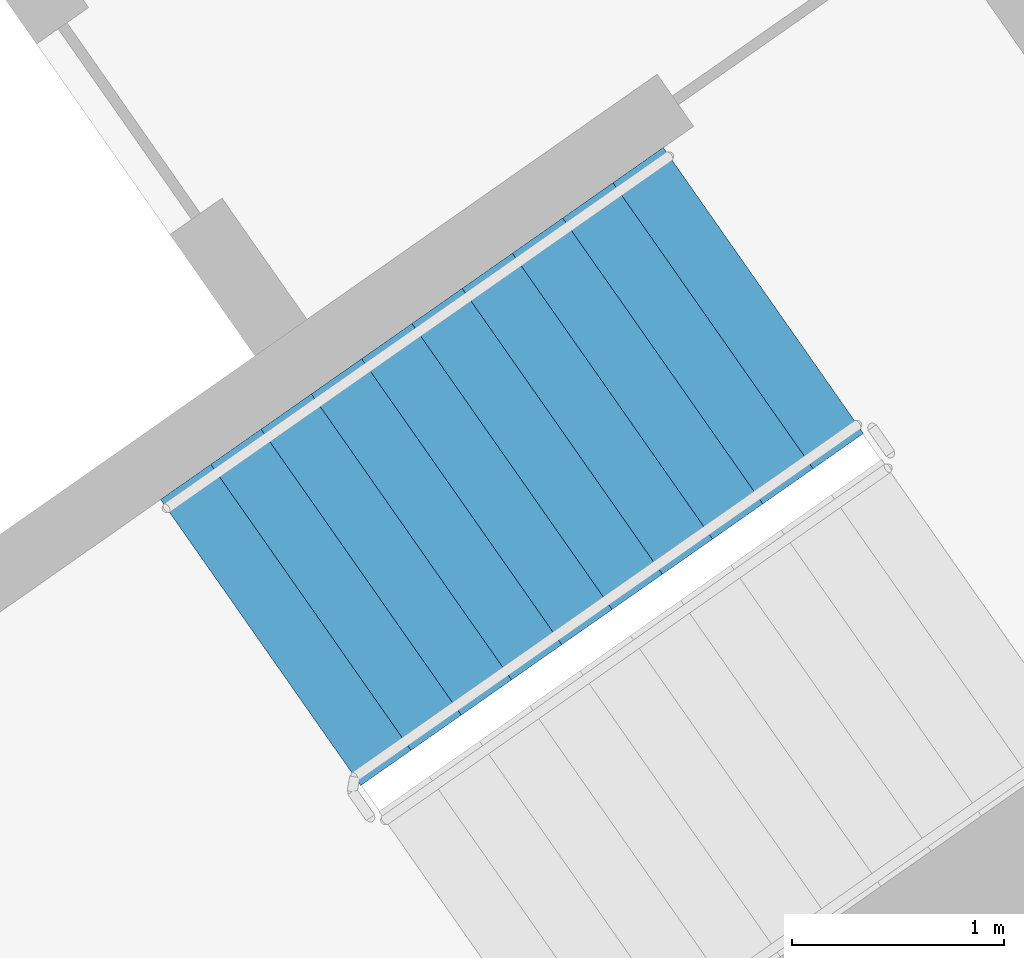
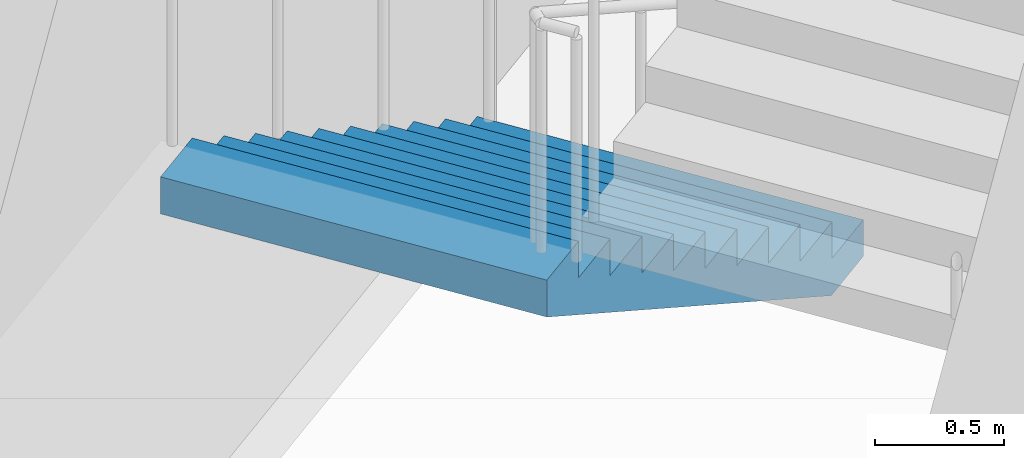
# One storey, part 17 of 31: 1 stair flight, 1 element without a shape of its own.
"""IFC4 building model written with IfcOpenShell, lengths in metres."""

from ifc_helpers import new_model, si_unit, direction, frame, origin, place, context, subcontext, project, spatial, faceted_brep, material, type_object, element, aggregate, save


model = new_model("IFC4")

# Units and contexts
model_context = context("Model", 3, precision=1e-05, world=origin(), true_north=direction((0.0, 1.0)))
body_context = subcontext(model_context, "Body", "Model", "MODEL_VIEW")
ifc_project = project(units=[si_unit("LENGTHUNIT", "METRE"), si_unit("AREAUNIT", "SQUARE_METRE"), si_unit("VOLUMEUNIT", "CUBIC_METRE"), si_unit("PLANEANGLEUNIT", "RADIAN"), si_unit("MASSUNIT", "GRAM", prefix="KILO")], contexts=[model_context])

# Site, building, storey
site_placement = place(None, origin())
site = spatial("IfcSite", under=ifc_project, at=site_placement, CompositionType="ELEMENT")
building_placement = place(site_placement, origin())
building = spatial("IfcBuilding", under=site, at=building_placement, Name="Qamariyya Broadcast Tower", CompositionType="ELEMENT")
storey_placement = place(building_placement, frame((0.0, 0.0, 55.699951171875)))
storey = spatial("IfcBuildingStorey", under=building, at=storey_placement, Name="L10", CompositionType="ELEMENT", Elevation=55.699951171875)

# Stair, stair flight
ifc_material = material(Name="Concrete C50/60", Category="concrete")
stair_type = type_object("IfcStairType", Name="Exit stair 22 risers of 173 mm", PredefinedType="HALF_TURN_STAIR", material=ifc_material)
stair_placement = place(storey_placement, origin())
stair = element("IfcStair", 1, at=stair_placement, inside=storey, type_object=stair_type, Name="L10 Stair E1", PredefinedType="HALF_TURN_STAIR")
stair_flight_type = type_object("IfcStairFlightType", Name="Exit stair flight 11 risers of 173 mm", PredefinedType="STRAIGHT", material=ifc_material)
stair_flight_placement = place(storey_placement, frame((46.036376953125, -55.508056640625, 0.0), z_axis=(0.0, 0.0, 1.0), x_axis=(-0.819152044289, -0.573576436351, 0.0)))
stair_flight = element("IfcStairFlight", 2, at=stair_flight_placement, type_object=stair_flight_type, Name="ST-E1 flight 1", NumberOfRisers=11, NumberOfTreads=10, PredefinedType="STRAIGHT", RiserHeight=0.172727273, TreadLength=0.29, context=body_context, shape_type="Brep", body=[
    faceted_brep([(0.0, 0.824951171875, 0.0), (0.0, 0.824951171875, 0.172607421875), (0.2900390625, 0.824951171875, 0.172607421875), (0.2900390625, 0.824951171875, 0.345458984375), (0.580078125, 0.824951171875, 0.345458984375), (0.580078125, 0.824951171875, 0.51806640625), (0.8701171875, 0.824951171875, 0.51806640625), (0.8701171875, 0.824951171875, 0.69091796875), (1.159912109375, 0.824951171875, 0.69091796875), (1.159912109375, 0.824951171875, 0.863525390625), (1.449951171875, 0.824951171875, 0.863525390625), (1.449951171875, 0.824951171875, 1.036376953125), (1.739990234375, 0.824951171875, 1.036376953125), (1.739990234375, 0.824951171875, 1.208984375), (2.030029296875, 0.824951171875, 1.208984375), (2.030029296875, 0.824951171875, 1.3818359375), (2.320068359375, 0.824951171875, 1.3818359375), (2.320068359375, 0.824951171875, 1.554443359375), (2.610107421875, 0.824951171875, 1.554443359375), (2.610107421875, 0.824951171875, 1.727294921875), (2.89990234375, 0.824951171875, 1.727294921875), (2.89990234375, 0.824951171875, 1.552734375), (0.29296875, 0.824951171875, 0.0), (0.29296875, -0.824951171875, 0.0), (2.89990234375, -0.824951171875, 1.552734375), (2.89990234375, -0.824951171875, 1.727294921875), (2.610107421875, -0.824951171875, 1.727294921875), (2.610107421875, -0.824951171875, 1.554443359375), (2.320068359375, -0.824951171875, 1.554443359375), (2.320068359375, -0.824951171875, 1.3818359375), (2.030029296875, -0.824951171875, 1.3818359375), (2.030029296875, -0.824951171875, 1.208984375), (1.739990234375, -0.824951171875, 1.208984375), (1.739990234375, -0.824951171875, 1.036376953125), (1.449951171875, -0.824951171875, 1.036376953125), (1.449951171875, -0.824951171875, 0.863525390625), (1.159912109375, -0.824951171875, 0.863525390625), (1.159912109375, -0.824951171875, 0.69091796875), (0.8701171875, -0.824951171875, 0.69091796875), (0.8701171875, -0.824951171875, 0.51806640625), (0.580078125, -0.824951171875, 0.51806640625), (0.580078125, -0.824951171875, 0.345458984375), (0.2900390625, -0.824951171875, 0.345458984375), (0.2900390625, -0.824951171875, 0.172607421875), (0.0, -0.824951171875, 0.172607421875), (0.0, -0.824951171875, 0.0), (0.0, 0.10009765625, 0.0), (0.0, 0.086669921875, 0.0), (0.0, 0.0732421875, 0.0), (0.0, 0.06005859375, 0.0), (0.0, 0.046630859375, 0.0), (0.0, 0.033447265625, 0.0), (0.0, 0.02001953125, 0.0), (0.0, 0.006591796875, 0.0), (0.0, -0.006591796875, 0.0), (0.0, -0.02001953125, 0.0), (0.0, -0.033447265625, 0.0), (0.0, -0.046630859375, 0.0), (0.0, -0.06005859375, 0.0), (0.0, -0.0732421875, 0.0), (0.0, -0.086669921875, 0.0), (0.0, -0.10009765625, 0.0), (0.0, -0.10009765625, 0.172607421875), (0.0, -0.086669921875, 0.172607421875), (0.0, -0.0732421875, 0.172607421875), (0.0, -0.06005859375, 0.172607421875), (0.0, -0.046630859375, 0.172607421875), (0.0, -0.033447265625, 0.172607421875), (0.0, -0.02001953125, 0.172607421875), (0.0, -0.006591796875, 0.172607421875), (0.0, 0.006591796875, 0.172607421875), (0.0, 0.02001953125, 0.172607421875), (0.0, 0.033447265625, 0.172607421875), (0.0, 0.046630859375, 0.172607421875), (0.0, 0.06005859375, 0.172607421875), (0.0, 0.0732421875, 0.172607421875), (0.0, 0.086669921875, 0.172607421875), (0.0, 0.10009765625, 0.172607421875), (0.2900390625, -0.10009765625, 0.172607421875), (0.2900390625, -0.086669921875, 0.172607421875), (0.2900390625, -0.0732421875, 0.172607421875), (0.2900390625, -0.06005859375, 0.172607421875), (0.2900390625, -0.046630859375, 0.172607421875), (0.2900390625, -0.033447265625, 0.172607421875), (0.2900390625, -0.02001953125, 0.172607421875), (0.2900390625, -0.006591796875, 0.172607421875), (0.2900390625, 0.006591796875, 0.172607421875), (0.2900390625, 0.02001953125, 0.172607421875), (0.2900390625, 0.033447265625, 0.172607421875), (0.2900390625, 0.046630859375, 0.172607421875), (0.2900390625, 0.06005859375, 0.172607421875), (0.2900390625, 0.0732421875, 0.172607421875), (0.2900390625, 0.086669921875, 0.172607421875), (0.2900390625, 0.10009765625, 0.172607421875), (0.2900390625, -0.10009765625, 0.345458984375), (0.2900390625, -0.086669921875, 0.345458984375), (0.2900390625, -0.0732421875, 0.345458984375), (0.2900390625, -0.06005859375, 0.345458984375), (0.2900390625, -0.046630859375, 0.345458984375), (0.2900390625, -0.033447265625, 0.345458984375), (0.2900390625, -0.02001953125, 0.345458984375), (0.2900390625, -0.006591796875, 0.345458984375), (0.2900390625, 0.006591796875, 0.345458984375), (0.2900390625, 0.02001953125, 0.345458984375), (0.2900390625, 0.033447265625, 0.345458984375), (0.2900390625, 0.046630859375, 0.345458984375), (0.2900390625, 0.06005859375, 0.345458984375), (0.2900390625, 0.0732421875, 0.345458984375), (0.2900390625, 0.086669921875, 0.345458984375), (0.2900390625, 0.10009765625, 0.345458984375), (0.580078125, -0.10009765625, 0.345458984375), (0.580078125, -0.086669921875, 0.345458984375), (0.580078125, -0.0732421875, 0.345458984375), (0.580078125, -0.06005859375, 0.345458984375), (0.580078125, -0.046630859375, 0.345458984375), (0.580078125, -0.033447265625, 0.345458984375), (0.580078125, -0.02001953125, 0.345458984375), (0.580078125, -0.006591796875, 0.345458984375), (0.580078125, 0.006591796875, 0.345458984375), (0.580078125, 0.02001953125, 0.345458984375), (0.580078125, 0.033447265625, 0.345458984375), (0.580078125, 0.046630859375, 0.345458984375), (0.580078125, 0.06005859375, 0.345458984375), (0.580078125, 0.0732421875, 0.345458984375), (0.580078125, 0.086669921875, 0.345458984375), (0.580078125, 0.10009765625, 0.345458984375), (0.580078125, -0.10009765625, 0.51806640625), (0.580078125, -0.086669921875, 0.51806640625), (0.580078125, -0.0732421875, 0.51806640625), (0.580078125, -0.06005859375, 0.51806640625), (0.580078125, -0.046630859375, 0.51806640625), (0.580078125, -0.033447265625, 0.51806640625), (0.580078125, -0.02001953125, 0.51806640625), (0.580078125, -0.006591796875, 0.51806640625), (0.580078125, 0.006591796875, 0.51806640625), (0.580078125, 0.02001953125, 0.51806640625), (0.580078125, 0.033447265625, 0.51806640625), (0.580078125, 0.046630859375, 0.51806640625), (0.580078125, 0.06005859375, 0.51806640625), (0.580078125, 0.0732421875, 0.51806640625), (0.580078125, 0.086669921875, 0.51806640625), (0.580078125, 0.10009765625, 0.51806640625), (0.8701171875, -0.10009765625, 0.51806640625), (0.8701171875, -0.086669921875, 0.51806640625), (0.8701171875, -0.0732421875, 0.51806640625), (0.8701171875, -0.06005859375, 0.51806640625), (0.8701171875, -0.046630859375, 0.51806640625), (0.8701171875, -0.033447265625, 0.51806640625), (0.8701171875, -0.02001953125, 0.51806640625), (0.8701171875, -0.006591796875, 0.51806640625), (0.8701171875, 0.006591796875, 0.51806640625), (0.8701171875, 0.02001953125, 0.51806640625), (0.8701171875, 0.033447265625, 0.51806640625), (0.8701171875, 0.046630859375, 0.51806640625), (0.8701171875, 0.06005859375, 0.51806640625), (0.8701171875, 0.0732421875, 0.51806640625), (0.8701171875, 0.086669921875, 0.51806640625), (0.8701171875, 0.10009765625, 0.51806640625), (0.8701171875, -0.10009765625, 0.69091796875), (0.8701171875, -0.086669921875, 0.69091796875), (0.8701171875, -0.0732421875, 0.69091796875), (0.8701171875, -0.06005859375, 0.69091796875), (0.8701171875, -0.046630859375, 0.69091796875), (0.8701171875, -0.033447265625, 0.69091796875), (0.8701171875, -0.02001953125, 0.69091796875), (0.8701171875, -0.006591796875, 0.69091796875), (0.8701171875, 0.006591796875, 0.69091796875), (0.8701171875, 0.02001953125, 0.69091796875), (0.8701171875, 0.033447265625, 0.69091796875), (0.8701171875, 0.046630859375, 0.69091796875), (0.8701171875, 0.06005859375, 0.69091796875), (0.8701171875, 0.0732421875, 0.69091796875), (0.8701171875, 0.086669921875, 0.69091796875), (0.8701171875, 0.10009765625, 0.69091796875), (1.159912109375, -0.10009765625, 0.69091796875), (1.159912109375, -0.086669921875, 0.69091796875), (1.159912109375, -0.0732421875, 0.69091796875), (1.159912109375, -0.06005859375, 0.69091796875), (1.159912109375, -0.046630859375, 0.69091796875), (1.159912109375, -0.033447265625, 0.69091796875), (1.159912109375, -0.02001953125, 0.69091796875), (1.159912109375, -0.006591796875, 0.69091796875), (1.159912109375, 0.006591796875, 0.69091796875), (1.159912109375, 0.02001953125, 0.69091796875), (1.159912109375, 0.033447265625, 0.69091796875), (1.159912109375, 0.046630859375, 0.69091796875), (1.159912109375, 0.06005859375, 0.69091796875), (1.159912109375, 0.0732421875, 0.69091796875), (1.159912109375, 0.086669921875, 0.69091796875), (1.159912109375, 0.10009765625, 0.69091796875), (1.159912109375, -0.10009765625, 0.863525390625), (1.159912109375, -0.086669921875, 0.863525390625), (1.159912109375, -0.0732421875, 0.863525390625), (1.159912109375, -0.06005859375, 0.863525390625), (1.159912109375, -0.046630859375, 0.863525390625), (1.159912109375, -0.033447265625, 0.863525390625), (1.159912109375, -0.02001953125, 0.863525390625), (1.159912109375, -0.006591796875, 0.863525390625), (1.159912109375, 0.006591796875, 0.863525390625), (1.159912109375, 0.02001953125, 0.863525390625), (1.159912109375, 0.033447265625, 0.863525390625), (1.159912109375, 0.046630859375, 0.863525390625), (1.159912109375, 0.06005859375, 0.863525390625), (1.159912109375, 0.0732421875, 0.863525390625), (1.159912109375, 0.086669921875, 0.863525390625), (1.159912109375, 0.10009765625, 0.863525390625), (1.449951171875, -0.10009765625, 0.863525390625), (1.449951171875, -0.086669921875, 0.863525390625), (1.449951171875, -0.0732421875, 0.863525390625), (1.449951171875, -0.06005859375, 0.863525390625), (1.449951171875, -0.046630859375, 0.863525390625), (1.449951171875, -0.033447265625, 0.863525390625), (1.449951171875, -0.02001953125, 0.863525390625), (1.449951171875, -0.006591796875, 0.863525390625), (1.449951171875, 0.006591796875, 0.863525390625), (1.449951171875, 0.02001953125, 0.863525390625), (1.449951171875, 0.033447265625, 0.863525390625), (1.449951171875, 0.046630859375, 0.863525390625), (1.449951171875, 0.06005859375, 0.863525390625), (1.449951171875, 0.0732421875, 0.863525390625), (1.449951171875, 0.086669921875, 0.863525390625), (1.449951171875, 0.10009765625, 0.863525390625), (1.449951171875, -0.10009765625, 1.036376953125), (1.449951171875, -0.086669921875, 1.036376953125), (1.449951171875, -0.0732421875, 1.036376953125), (1.449951171875, -0.06005859375, 1.036376953125), (1.449951171875, -0.046630859375, 1.036376953125), (1.449951171875, -0.033447265625, 1.036376953125), (1.449951171875, -0.02001953125, 1.036376953125), (1.449951171875, -0.006591796875, 1.036376953125), (1.449951171875, 0.006591796875, 1.036376953125), (1.449951171875, 0.02001953125, 1.036376953125), (1.449951171875, 0.033447265625, 1.036376953125), (1.449951171875, 0.046630859375, 1.036376953125), (1.449951171875, 0.06005859375, 1.036376953125), (1.449951171875, 0.0732421875, 1.036376953125), (1.449951171875, 0.086669921875, 1.036376953125), (1.449951171875, 0.10009765625, 1.036376953125), (1.739990234375, -0.10009765625, 1.036376953125), (1.739990234375, -0.086669921875, 1.036376953125), (1.739990234375, -0.0732421875, 1.036376953125), (1.739990234375, -0.06005859375, 1.036376953125), (1.739990234375, -0.046630859375, 1.036376953125), (1.739990234375, -0.033447265625, 1.036376953125), (1.739990234375, -0.02001953125, 1.036376953125), (1.739990234375, -0.006591796875, 1.036376953125), (1.739990234375, 0.006591796875, 1.036376953125), (1.739990234375, 0.02001953125, 1.036376953125), (1.739990234375, 0.033447265625, 1.036376953125), (1.739990234375, 0.046630859375, 1.036376953125), (1.739990234375, 0.06005859375, 1.036376953125), (1.739990234375, 0.0732421875, 1.036376953125), (1.739990234375, 0.086669921875, 1.036376953125), (1.739990234375, 0.10009765625, 1.036376953125), (1.739990234375, -0.10009765625, 1.208984375), (1.739990234375, -0.086669921875, 1.208984375), (1.739990234375, -0.0732421875, 1.208984375), (1.739990234375, -0.06005859375, 1.208984375), (1.739990234375, -0.046630859375, 1.208984375), (1.739990234375, -0.033447265625, 1.208984375), (1.739990234375, -0.02001953125, 1.208984375), (1.739990234375, -0.006591796875, 1.208984375), (1.739990234375, 0.006591796875, 1.208984375), (1.739990234375, 0.02001953125, 1.208984375), (1.739990234375, 0.033447265625, 1.208984375), (1.739990234375, 0.046630859375, 1.208984375), (1.739990234375, 0.06005859375, 1.208984375), (1.739990234375, 0.0732421875, 1.208984375), (1.739990234375, 0.086669921875, 1.208984375), (1.739990234375, 0.10009765625, 1.208984375), (2.030029296875, -0.10009765625, 1.208984375), (2.030029296875, -0.086669921875, 1.208984375), (2.030029296875, -0.0732421875, 1.208984375), (2.030029296875, -0.06005859375, 1.208984375), (2.030029296875, -0.046630859375, 1.208984375), (2.030029296875, -0.033447265625, 1.208984375), (2.030029296875, -0.02001953125, 1.208984375), (2.030029296875, -0.006591796875, 1.208984375), (2.030029296875, 0.006591796875, 1.208984375), (2.030029296875, 0.02001953125, 1.208984375), (2.030029296875, 0.033447265625, 1.208984375), (2.030029296875, 0.046630859375, 1.208984375), (2.030029296875, 0.06005859375, 1.208984375), (2.030029296875, 0.0732421875, 1.208984375), (2.030029296875, 0.086669921875, 1.208984375), (2.030029296875, 0.10009765625, 1.208984375), (2.030029296875, -0.10009765625, 1.3818359375), (2.030029296875, -0.086669921875, 1.3818359375), (2.030029296875, -0.0732421875, 1.3818359375), (2.030029296875, -0.06005859375, 1.3818359375), (2.030029296875, -0.046630859375, 1.3818359375), (2.030029296875, -0.033447265625, 1.3818359375), (2.030029296875, -0.02001953125, 1.3818359375), (2.030029296875, -0.006591796875, 1.3818359375), (2.030029296875, 0.006591796875, 1.3818359375), (2.030029296875, 0.02001953125, 1.3818359375), (2.030029296875, 0.033447265625, 1.3818359375), (2.030029296875, 0.046630859375, 1.3818359375), (2.030029296875, 0.06005859375, 1.3818359375), (2.030029296875, 0.0732421875, 1.3818359375), (2.030029296875, 0.086669921875, 1.3818359375), (2.030029296875, 0.10009765625, 1.3818359375), (2.320068359375, -0.10009765625, 1.3818359375), (2.320068359375, -0.086669921875, 1.3818359375), (2.320068359375, -0.0732421875, 1.3818359375), (2.320068359375, -0.06005859375, 1.3818359375), (2.320068359375, -0.046630859375, 1.3818359375), (2.320068359375, -0.033447265625, 1.3818359375), (2.320068359375, -0.02001953125, 1.3818359375), (2.320068359375, -0.006591796875, 1.3818359375), (2.320068359375, 0.006591796875, 1.3818359375), (2.320068359375, 0.02001953125, 1.3818359375), (2.320068359375, 0.033447265625, 1.3818359375), (2.320068359375, 0.046630859375, 1.3818359375), (2.320068359375, 0.06005859375, 1.3818359375), (2.320068359375, 0.0732421875, 1.3818359375), (2.320068359375, 0.086669921875, 1.3818359375), (2.320068359375, 0.10009765625, 1.3818359375), (2.320068359375, -0.10009765625, 1.554443359375), (2.320068359375, -0.086669921875, 1.554443359375), (2.320068359375, -0.0732421875, 1.554443359375), (2.320068359375, -0.06005859375, 1.554443359375), (2.320068359375, -0.046630859375, 1.554443359375), (2.320068359375, -0.033447265625, 1.554443359375), (2.320068359375, -0.02001953125, 1.554443359375), (2.320068359375, -0.006591796875, 1.554443359375), (2.320068359375, 0.006591796875, 1.554443359375), (2.320068359375, 0.02001953125, 1.554443359375), (2.320068359375, 0.033447265625, 1.554443359375), (2.320068359375, 0.046630859375, 1.554443359375), (2.320068359375, 0.06005859375, 1.554443359375), (2.320068359375, 0.0732421875, 1.554443359375), (2.320068359375, 0.086669921875, 1.554443359375), (2.320068359375, 0.10009765625, 1.554443359375), (2.610107421875, -0.10009765625, 1.554443359375), (2.610107421875, -0.086669921875, 1.554443359375), (2.610107421875, -0.0732421875, 1.554443359375), (2.610107421875, -0.06005859375, 1.554443359375), (2.610107421875, -0.046630859375, 1.554443359375), (2.610107421875, -0.033447265625, 1.554443359375), (2.610107421875, -0.02001953125, 1.554443359375), (2.610107421875, -0.006591796875, 1.554443359375), (2.610107421875, 0.006591796875, 1.554443359375), (2.610107421875, 0.02001953125, 1.554443359375), (2.610107421875, 0.033447265625, 1.554443359375), (2.610107421875, 0.046630859375, 1.554443359375), (2.610107421875, 0.06005859375, 1.554443359375), (2.610107421875, 0.0732421875, 1.554443359375), (2.610107421875, 0.086669921875, 1.554443359375), (2.610107421875, 0.10009765625, 1.554443359375), (2.610107421875, -0.10009765625, 1.727294921875), (2.610107421875, -0.086669921875, 1.727294921875), (2.610107421875, -0.0732421875, 1.727294921875), (2.610107421875, -0.06005859375, 1.727294921875), (2.610107421875, -0.046630859375, 1.727294921875), (2.610107421875, -0.033447265625, 1.727294921875), (2.610107421875, -0.02001953125, 1.727294921875), (2.610107421875, -0.006591796875, 1.727294921875), (2.610107421875, 0.006591796875, 1.727294921875), (2.610107421875, 0.02001953125, 1.727294921875), (2.610107421875, 0.033447265625, 1.727294921875), (2.610107421875, 0.046630859375, 1.727294921875), (2.610107421875, 0.06005859375, 1.727294921875), (2.610107421875, 0.0732421875, 1.727294921875), (2.610107421875, 0.086669921875, 1.727294921875), (2.610107421875, 0.10009765625, 1.727294921875), (2.89990234375, -0.10009765625, 1.727294921875), (2.89990234375, -0.086669921875, 1.727294921875), (2.89990234375, -0.0732421875, 1.727294921875), (2.89990234375, -0.06005859375, 1.727294921875), (2.89990234375, -0.046630859375, 1.727294921875), (2.89990234375, -0.033447265625, 1.727294921875), (2.89990234375, -0.02001953125, 1.727294921875), (2.89990234375, -0.006591796875, 1.727294921875), (2.89990234375, 0.006591796875, 1.727294921875), (2.89990234375, 0.02001953125, 1.727294921875), (2.89990234375, 0.033447265625, 1.727294921875), (2.89990234375, 0.046630859375, 1.727294921875), (2.89990234375, 0.06005859375, 1.727294921875), (2.89990234375, 0.0732421875, 1.727294921875), (2.89990234375, 0.086669921875, 1.727294921875), (2.89990234375, 0.10009765625, 1.727294921875), (2.89990234375, -0.10009765625, 1.552734375), (2.89990234375, -0.086669921875, 1.552734375), (2.89990234375, -0.0732421875, 1.552734375), (2.89990234375, -0.06005859375, 1.552734375), (2.89990234375, -0.046630859375, 1.552734375), (2.89990234375, -0.033447265625, 1.552734375), (2.89990234375, -0.02001953125, 1.552734375), (2.89990234375, -0.006591796875, 1.552734375), (2.89990234375, 0.006591796875, 1.552734375), (2.89990234375, 0.02001953125, 1.552734375), (2.89990234375, 0.033447265625, 1.552734375), (2.89990234375, 0.046630859375, 1.552734375), (2.89990234375, 0.06005859375, 1.552734375), (2.89990234375, 0.0732421875, 1.552734375), (2.89990234375, 0.086669921875, 1.552734375), (2.89990234375, 0.10009765625, 1.552734375), (0.29296875, -0.10009765625, 0.0), (0.29296875, -0.086669921875, 0.0), (0.29296875, -0.0732421875, 0.0), (0.29296875, -0.06005859375, 0.0), (0.29296875, -0.046630859375, 0.0), (0.29296875, -0.033447265625, 0.0), (0.29296875, -0.02001953125, 0.0), (0.29296875, -0.006591796875, 0.0), (0.29296875, 0.006591796875, 0.0), (0.29296875, 0.02001953125, 0.0), (0.29296875, 0.033447265625, 0.0), (0.29296875, 0.046630859375, 0.0), (0.29296875, 0.06005859375, 0.0), (0.29296875, 0.0732421875, 0.0), (0.29296875, 0.086669921875, 0.0), (0.29296875, 0.10009765625, 0.0)], [[[0, 1, 2, 3, 4, 5, 6, 7, 8, 9, 10, 11, 12, 13, 14, 15, 16, 17, 18, 19, 20, 21, 22]], [[23, 24, 25, 26, 27, 28, 29, 30, 31, 32, 33, 34, 35, 36, 37, 38, 39, 40, 41, 42, 43, 44, 45]], [[0, 46, 47, 48, 49, 50, 51, 52, 53, 54, 55, 56, 57, 58, 59, 60, 61, 45, 44, 62, 63, 64, 65, 66, 67, 68, 69, 70, 71, 72, 73, 74, 75, 76, 77, 1]], [[1, 77, 76, 75, 74, 73, 72, 71, 70, 69, 68, 67, 66, 65, 64, 63, 62, 44, 43, 78, 79, 80, 81, 82, 83, 84, 85, 86, 87, 88, 89, 90, 91, 92, 93, 2]], [[2, 93, 92, 91, 90, 89, 88, 87, 86, 85, 84, 83, 82, 81, 80, 79, 78, 43, 42, 94, 95, 96, 97, 98, 99, 100, 101, 102, 103, 104, 105, 106, 107, 108, 109, 3]], [[3, 109, 108, 107, 106, 105, 104, 103, 102, 101, 100, 99, 98, 97, 96, 95, 94, 42, 41, 110, 111, 112, 113, 114, 115, 116, 117, 118, 119, 120, 121, 122, 123, 124, 125, 4]], [[4, 125, 124, 123, 122, 121, 120, 119, 118, 117, 116, 115, 114, 113, 112, 111, 110, 41, 40, 126, 127, 128, 129, 130, 131, 132, 133, 134, 135, 136, 137, 138, 139, 140, 141, 5]], [[5, 141, 140, 139, 138, 137, 136, 135, 134, 133, 132, 131, 130, 129, 128, 127, 126, 40, 39, 142, 143, 144, 145, 146, 147, 148, 149, 150, 151, 152, 153, 154, 155, 156, 157, 6]], [[6, 157, 156, 155, 154, 153, 152, 151, 150, 149, 148, 147, 146, 145, 144, 143, 142, 39, 38, 158, 159, 160, 161, 162, 163, 164, 165, 166, 167, 168, 169, 170, 171, 172, 173, 7]], [[7, 173, 172, 171, 170, 169, 168, 167, 166, 165, 164, 163, 162, 161, 160, 159, 158, 38, 37, 174, 175, 176, 177, 178, 179, 180, 181, 182, 183, 184, 185, 186, 187, 188, 189, 8]], [[8, 189, 188, 187, 186, 185, 184, 183, 182, 181, 180, 179, 178, 177, 176, 175, 174, 37, 36, 190, 191, 192, 193, 194, 195, 196, 197, 198, 199, 200, 201, 202, 203, 204, 205, 9]], [[9, 205, 204, 203, 202, 201, 200, 199, 198, 197, 196, 195, 194, 193, 192, 191, 190, 36, 35, 206, 207, 208, 209, 210, 211, 212, 213, 214, 215, 216, 217, 218, 219, 220, 221, 10]], [[10, 221, 220, 219, 218, 217, 216, 215, 214, 213, 212, 211, 210, 209, 208, 207, 206, 35, 34, 222, 223, 224, 225, 226, 227, 228, 229, 230, 231, 232, 233, 234, 235, 236, 237, 11]], [[11, 237, 236, 235, 234, 233, 232, 231, 230, 229, 228, 227, 226, 225, 224, 223, 222, 34, 33, 238, 239, 240, 241, 242, 243, 244, 245, 246, 247, 248, 249, 250, 251, 252, 253, 12]], [[12, 253, 252, 251, 250, 249, 248, 247, 246, 245, 244, 243, 242, 241, 240, 239, 238, 33, 32, 254, 255, 256, 257, 258, 259, 260, 261, 262, 263, 264, 265, 266, 267, 268, 269, 13]], [[13, 269, 268, 267, 266, 265, 264, 263, 262, 261, 260, 259, 258, 257, 256, 255, 254, 32, 31, 270, 271, 272, 273, 274, 275, 276, 277, 278, 279, 280, 281, 282, 283, 284, 285, 14]], [[14, 285, 284, 283, 282, 281, 280, 279, 278, 277, 276, 275, 274, 273, 272, 271, 270, 31, 30, 286, 287, 288, 289, 290, 291, 292, 293, 294, 295, 296, 297, 298, 299, 300, 301, 15]], [[15, 301, 300, 299, 298, 297, 296, 295, 294, 293, 292, 291, 290, 289, 288, 287, 286, 30, 29, 302, 303, 304, 305, 306, 307, 308, 309, 310, 311, 312, 313, 314, 315, 316, 317, 16]], [[16, 317, 316, 315, 314, 313, 312, 311, 310, 309, 308, 307, 306, 305, 304, 303, 302, 29, 28, 318, 319, 320, 321, 322, 323, 324, 325, 326, 327, 328, 329, 330, 331, 332, 333, 17]], [[17, 333, 332, 331, 330, 329, 328, 327, 326, 325, 324, 323, 322, 321, 320, 319, 318, 28, 27, 334, 335, 336, 337, 338, 339, 340, 341, 342, 343, 344, 345, 346, 347, 348, 349, 18]], [[18, 349, 348, 347, 346, 345, 344, 343, 342, 341, 340, 339, 338, 337, 336, 335, 334, 27, 26, 350, 351, 352, 353, 354, 355, 356, 357, 358, 359, 360, 361, 362, 363, 364, 365, 19]], [[19, 365, 364, 363, 362, 361, 360, 359, 358, 357, 356, 355, 354, 353, 352, 351, 350, 26, 25, 366, 367, 368, 369, 370, 371, 372, 373, 374, 375, 376, 377, 378, 379, 380, 381, 20]], [[20, 381, 380, 379, 378, 377, 376, 375, 374, 373, 372, 371, 370, 369, 368, 367, 366, 25, 24, 382, 383, 384, 385, 386, 387, 388, 389, 390, 391, 392, 393, 394, 395, 396, 397, 21]], [[21, 397, 396, 395, 394, 393, 392, 391, 390, 389, 388, 387, 386, 385, 384, 383, 382, 24, 23, 398, 399, 400, 401, 402, 403, 404, 405, 406, 407, 408, 409, 410, 411, 412, 413, 22]], [[22, 413, 412, 411, 410, 409, 408, 407, 406, 405, 404, 403, 402, 401, 400, 399, 398, 23, 45, 61, 60, 59, 58, 57, 56, 55, 54, 53, 52, 51, 50, 49, 48, 47, 46, 0]]]),
])
aggregate(stair, [stair_flight])

save(model, "model.ifc")
